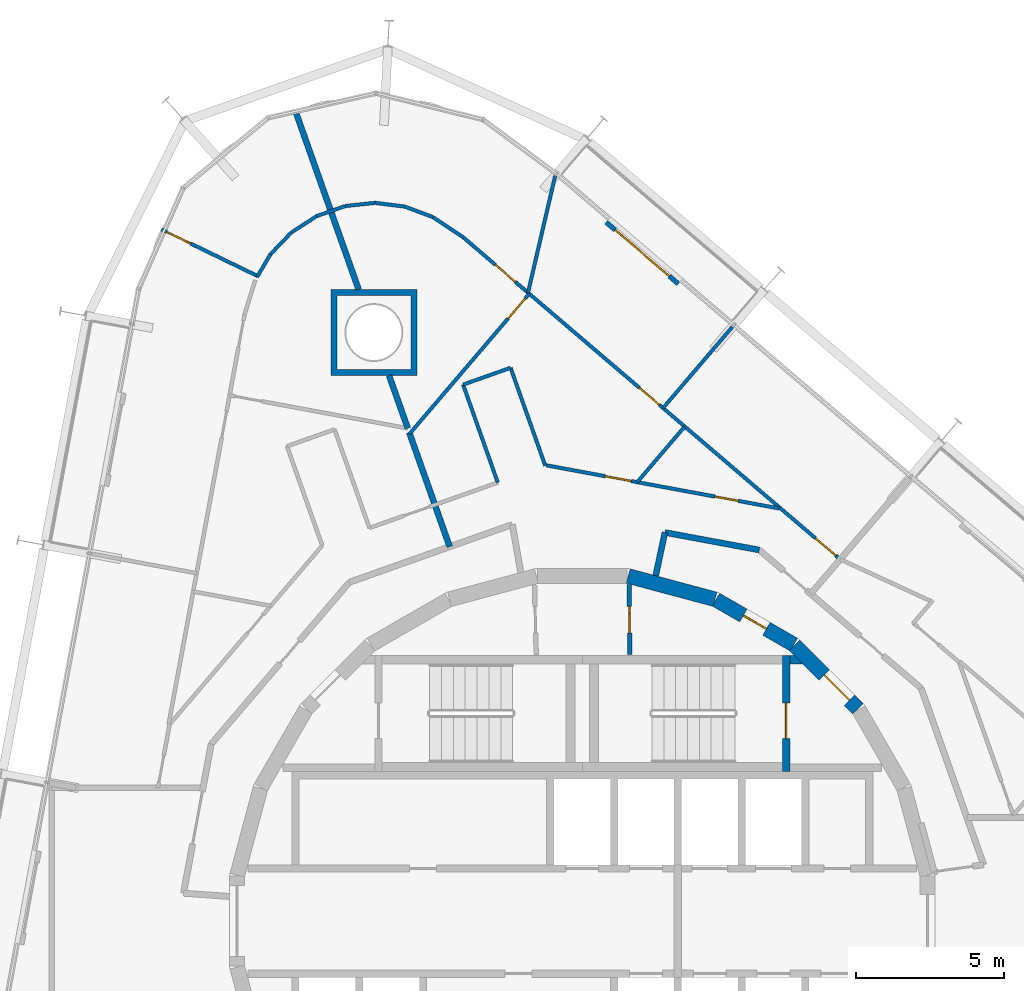
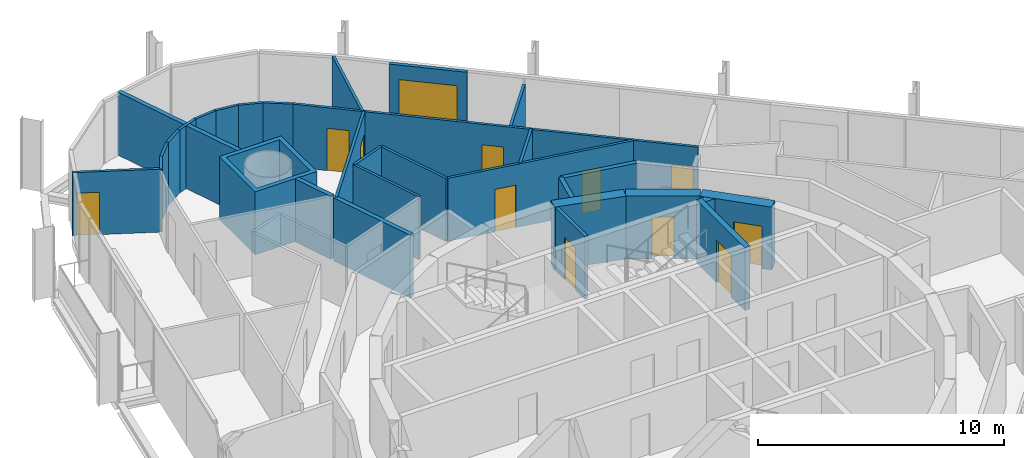
# One storey, part 15 of 17: 31 walls, 12 doors, 12 openings.
"""IFC4 building model written with IfcOpenShell, lengths in metres."""

from ifc_helpers import new_model, si_unit, direction, frame, frame_2d, origin, place, context, subcontext, project, spatial, polyline, rectangle, outline, extrude, material, layer, layer_set, type_object, element, fill, save


model = new_model("IFC4")

# Units and contexts
model_context = context("Model", 3, precision=1e-05, world=origin(), true_north=direction((0.0, 1.0)))
body_context = subcontext(model_context, "Body", "Model", "MODEL_VIEW")
ifc_project = project(units=[si_unit("LENGTHUNIT", "METRE"), si_unit("AREAUNIT", "SQUARE_METRE"), si_unit("VOLUMEUNIT", "CUBIC_METRE"), si_unit("PLANEANGLEUNIT", "RADIAN"), si_unit("MASSUNIT", "GRAM", prefix="KILO")], contexts=[model_context])

# Site, building, storey
site_placement = place(None, origin())
site = spatial("IfcSite", under=ifc_project, at=site_placement, CompositionType="ELEMENT")
building_placement = place(site_placement, origin())
building = spatial("IfcBuilding", under=site, at=building_placement, Name="Spindle Arch Residences", CompositionType="ELEMENT")
storey_placement = place(building_placement, frame((0.0, 0.0, 172.699951171875)))
storey = spatial("IfcBuildingStorey", under=building, at=storey_placement, Name="L43", CompositionType="ELEMENT", Elevation=172.699951171875)

# Wall, opening, door
ifc_material_1 = material(Name="Concrete C50/60", Category="concrete")
ifc_layer_1 = layer(ifc_material_1, 0.5)
ifc_layer_set_1 = layer_set([ifc_layer_1], Name="Core outline wall 500")
wall_type_1 = type_object("IfcWallType", Name="Core outline wall 500", PredefinedType="SHEAR", material=ifc_layer_set_1)
wall_1_placement = place(storey_placement, frame((9.30810546875, 7.163818359375, 0.0), z_axis=(0.0, 0.0, 1.0), x_axis=(-0.707106781187, 0.707106781187, 0.0)))
wall_1 = element("IfcWall", 1, at=wall_1_placement, inside=storey, type_object=wall_type_1, Name="Core outline wall 9", PredefinedType="SHEAR", context=body_context, shape_type="SweptSolid", body=[
    extrude(rectangle(XDim=3.032470703125, YDim=0.5, at=frame_2d((1.51611328125, 0.0))), origin(), (0.0, 0.0, 1.0), 3.1201171875),
])
opening_1_placement = place(wall_1_placement, frame((0.416259765625, 0.0, 0.0)))
opening_1 = element("IfcOpeningElement", 2, at=opening_1_placement, cuts=wall_1, Name="Opening R4C0-AD01", PredefinedType="OPENING", context=body_context, shape_type="SweptSolid", body=[
    extrude(rectangle(XDim=1.199951171875, YDim=2.10009765625, at=frame_2d((0.60009765625, 1.050048828125))), frame((0.0, 0.260009765625, 0.0), z_axis=(0.0, -1.0, 0.0), x_axis=(1.0, 0.0, 0.0)), (0.0, 0.0, 1.0), 0.52001953125),
])
ifc_material_2 = material(Name="Steel, fire-resisting door", Category="steel")
door_type_1 = type_object("IfcDoorType", Name="Stair airlock door 1200x2100", OperationType="SINGLE_SWING_LEFT", PredefinedType="DOOR", material=ifc_material_2)
door_1_placement = place(opening_1_placement, origin())
door_1 = element("IfcDoor", 3, at=door_1_placement, inside=storey, type_object=door_type_1, Name="Stair airlock door R4C0-AD01", OperationType="SINGLE_SWING_RIGHT", OverallHeight=2.10009765625, OverallWidth=1.199951171875, PredefinedType="DOOR", context=body_context, shape_type="SweptSolid", body=[
    extrude(rectangle(XDim=1.199951171875, YDim=2.10009765625, at=frame_2d((0.60009765625, 1.050048828125))), frame((0.0, 0.02490234375, 0.0), z_axis=(0.0, -1.0, 0.0), x_axis=(1.0, 0.0, 0.0)), (0.0, 0.0, 1.0), 0.050048828125),
])
fill(opening_1, door_1)

wall_2_placement = place(storey_placement, frame((7.13671875, 9.32861328125, 0.0), z_axis=(0.0, 0.0, 1.0), x_axis=(-0.865975092491, 0.500087131594, 0.0)))
wall_2 = element("IfcWall", 4, at=wall_2_placement, inside=storey, type_object=wall_type_1, Name="Core outline wall 10", PredefinedType="SHEAR", context=body_context, shape_type="SweptSolid", body=[
    extrude(rectangle(XDim=3.03271484375, YDim=0.5, at=frame_2d((1.516357421875, 0.0))), origin(), (0.0, 0.0, 1.0), 3.1201171875),
])
opening_2_placement = place(wall_2_placement, frame((1.06640625, 0.0, 0.0)))
opening_2 = element("IfcOpeningElement", 5, at=opening_2_placement, cuts=wall_2, Name="Opening R4C0-WD09", PredefinedType="OPENING", context=body_context, shape_type="SweptSolid", body=[
    extrude(rectangle(XDim=0.89990234375, YDim=2.10009765625, at=frame_2d((0.449951171875, 1.050048828125))), frame((0.0, 0.260009765625, 0.0), z_axis=(0.0, -1.0, 0.0), x_axis=(1.0, 0.0, 0.0)), (0.0, 0.0, 1.0), 0.52001953125),
])
ifc_material_3 = material(Name="Steel, fire-resisting door", Category="steel")
door_type_2 = type_object("IfcDoorType", Name="Service room door 900x2100", OperationType="SINGLE_SWING_LEFT", PredefinedType="DOOR", material=ifc_material_3)
door_2_placement = place(opening_2_placement, origin())
door_2 = element("IfcDoor", 6, at=door_2_placement, inside=storey, type_object=door_type_2, Name="Service room door R4C0-WD09", OperationType="SINGLE_SWING_LEFT", OverallHeight=2.10009765625, OverallWidth=0.89990234375, PredefinedType="DOOR", context=body_context, shape_type="SweptSolid", body=[
    extrude(rectangle(XDim=0.89990234375, YDim=2.10009765625, at=frame_2d((0.449951171875, 1.050048828125))), frame((0.0, 0.02490234375, 0.0), z_axis=(0.0, -1.0, 0.0), x_axis=(1.0, 0.0, 0.0)), (0.0, 0.0, 1.0), 0.050048828125),
])
fill(opening_2, door_2)

# Walls
wall_3_placement = place(storey_placement, frame((4.479248046875, 10.858154296875, 0.0), z_axis=(0.0, 0.0, 1.0), x_axis=(-0.965948410781, 0.258734743916, 0.0)))
element("IfcWall", 7, at=wall_3_placement, inside=storey, type_object=wall_type_1, Name="Core outline wall 11", PredefinedType="SHEAR", context=body_context, shape_type="SweptSolid", body=[
    extrude(rectangle(XDim=3.03271484375, YDim=0.5, at=frame_2d((1.516357421875, 0.0))), origin(), (0.0, 0.0, 1.0), 3.1201171875),
])
ifc_material_4 = material(Name="Calcium silicate block, plastered")
ifc_layer_2 = layer(ifc_material_4, 0.199951171875)
ifc_layer_set_2 = layer_set([ifc_layer_2], Name="Corridor wall 200")
wall_type_2 = type_object("IfcWallType", Name="Corridor wall 200", PredefinedType="STANDARD", material=ifc_layer_set_2)
wall_4_placement = place(storey_placement, frame((5.972412109375, 12.521240234375, 0.0), z_axis=(0.0, 0.0, 1.0), x_axis=(-0.983243002308, 0.182299748799, 0.0)))
element("IfcWall", 8, at=wall_4_placement, inside=storey, type_object=wall_type_2, Name="Corridor wall R4C0-W005", PredefinedType="STANDARD", context=body_context, shape_type="SweptSolid", body=[
    extrude(rectangle(XDim=3.239501953125, YDim=0.199951171875, at=frame_2d((1.61962890625, 0.0))), origin(), (0.0, 0.0, 1.0), 3.1201171875),
])
wall_5_placement = place(storey_placement, frame((2.787109375, 13.11181640625, 0.0), z_axis=(0.0, 0.0, 1.0), x_axis=(-0.207941001029, -0.978141370197, 0.0)))
element("IfcWall", 9, at=wall_5_placement, inside=storey, type_object=wall_type_2, Name="Corridor wall R4C0-W006", PredefinedType="STANDARD", context=body_context, shape_type="SweptSolid", body=[
    extrude(rectangle(XDim=1.4912109375, YDim=0.199951171875, at=frame_2d((0.74560546875, 0.0))), origin(), (0.0, 0.0, 1.0), 3.1201171875),
])

# Wall, openings, doors
ifc_material_5 = material(Name="Plasterboard on steel studs", Category="steel")
ifc_layer_3 = layer(ifc_material_5, 0.1201171875)
ifc_layer_set_3 = layer_set([ifc_layer_3], Name="Flat partition 120")
wall_type_3 = type_object("IfcWallType", Name="Flat partition 120", PredefinedType="PARTITIONING", material=ifc_layer_set_3)
wall_6_placement = place(storey_placement, frame((8.701904296875, 12.205810546875, 0.0), z_axis=(0.0, 0.0, 1.0), x_axis=(-0.760401313718, 0.649453494945, 0.0)))
wall_6 = element("IfcWall", 10, at=wall_6_placement, inside=storey, type_object=wall_type_3, Name="Flat partition R4C0-W052", PredefinedType="PARTITIONING", context=body_context, shape_type="SweptSolid", body=[
    extrude(rectangle(XDim=16.723876953125, YDim=0.1201171875, at=frame_2d((8.36181640625, 0.0))), origin(), (0.0, 0.0, 1.0), 3.1201171875),
])
opening_3_placement = place(wall_6_placement, frame((0.199951171875, 0.0, 0.0)))
opening_3 = element("IfcOpeningElement", 11, at=opening_3_placement, cuts=wall_6, Name="Opening R4C0-ID06", PredefinedType="OPENING", context=body_context, shape_type="SweptSolid", body=[
    extrude(rectangle(XDim=0.89990234375, YDim=2.10009765625, at=frame_2d((0.449951171875, 1.050048828125))), frame((0.0, 0.070068359375, 0.0), z_axis=(0.0, -1.0, 0.0), x_axis=(1.0, 0.0, 0.0)), (0.0, 0.0, 1.0), 0.14013671875),
])
opening_4_placement = place(wall_6_placement, frame((8.02001953125, 0.0, 0.0)))
opening_4 = element("IfcOpeningElement", 12, at=opening_4_placement, cuts=wall_6, Name="Opening R4C0-ID08", PredefinedType="OPENING", context=body_context, shape_type="SweptSolid", body=[
    extrude(rectangle(XDim=0.89990234375, YDim=2.10009765625, at=frame_2d((0.449951171875, 1.050048828125))), frame((0.0, 0.070068359375, 0.0), z_axis=(0.0, -1.0, 0.0), x_axis=(1.0, 0.0, 0.0)), (0.0, 0.0, 1.0), 0.14013671875),
])
opening_5_placement = place(wall_6_placement, frame((14.41162109375, 0.0, 0.0)))
opening_5 = element("IfcOpeningElement", 13, at=opening_5_placement, cuts=wall_6, Name="Opening R4C0-ID10", PredefinedType="OPENING", context=body_context, shape_type="SweptSolid", body=[
    extrude(rectangle(XDim=0.89990234375, YDim=2.10009765625, at=frame_2d((0.449951171875, 1.050048828125))), frame((0.0, 0.070068359375, 0.0), z_axis=(0.0, -1.0, 0.0), x_axis=(1.0, 0.0, 0.0)), (0.0, 0.0, 1.0), 0.14013671875),
])
ifc_material_6 = material(Name="Timber door set", Category="wood")
door_type_3 = type_object("IfcDoorType", Name="Room door 900x2100", OperationType="NOTDEFINED", PredefinedType="DOOR", material=ifc_material_6)
door_3_placement = place(opening_3_placement, origin())
door_3 = element("IfcDoor", 14, at=door_3_placement, inside=storey, type_object=door_type_3, Name="Room door R4C0-ID06", OperationType="SINGLE_SWING_RIGHT", OverallHeight=2.10009765625, OverallWidth=0.89990234375, PredefinedType="DOOR", context=body_context, shape_type="SweptSolid", body=[
    extrude(rectangle(XDim=0.89990234375, YDim=2.10009765625, at=frame_2d((0.449951171875, 1.050048828125))), frame((0.0, 0.02490234375, 0.0), z_axis=(0.0, -1.0, 0.0), x_axis=(1.0, 0.0, 0.0)), (0.0, 0.0, 1.0), 0.050048828125),
])
fill(opening_3, door_3)
door_4_placement = place(opening_4_placement, origin())
door_4 = element("IfcDoor", 15, at=door_4_placement, inside=storey, type_object=door_type_3, Name="Room door R4C0-ID08", OperationType="SINGLE_SWING_RIGHT", OverallHeight=2.10009765625, OverallWidth=0.89990234375, PredefinedType="DOOR", context=body_context, shape_type="SweptSolid", body=[
    extrude(rectangle(XDim=0.89990234375, YDim=2.10009765625, at=frame_2d((0.449951171875, 1.050048828125))), frame((0.0, 0.02490234375, 0.0), z_axis=(0.0, -1.0, 0.0), x_axis=(1.0, 0.0, 0.0)), (0.0, 0.0, 1.0), 0.050048828125),
])
fill(opening_4, door_4)
door_5_placement = place(opening_5_placement, origin())
door_5 = element("IfcDoor", 16, at=door_5_placement, inside=storey, type_object=door_type_3, Name="Room door R4C0-ID10", OperationType="SINGLE_SWING_RIGHT", OverallHeight=2.10009765625, OverallWidth=0.89990234375, PredefinedType="DOOR", context=body_context, shape_type="SweptSolid", body=[
    extrude(rectangle(XDim=0.89990234375, YDim=2.10009765625, at=frame_2d((0.449951171875, 1.050048828125))), frame((0.0, 0.02490234375, 0.0), z_axis=(0.0, -1.0, 0.0), x_axis=(1.0, 0.0, 0.0)), (0.0, 0.0, 1.0), 0.050048828125),
])
fill(opening_5, door_5)

wall_7_placement = place(storey_placement, frame((6.640869140625, 13.9228515625, 0.0), z_axis=(0.0, 0.0, 1.0), x_axis=(-0.983250157272, 0.182261153912, 0.0)))
wall_7 = element("IfcWall", 17, at=wall_7_placement, inside=storey, type_object=wall_type_3, Name="Flat partition R4C0-W053", PredefinedType="PARTITIONING", context=body_context, shape_type="SweptSolid", body=[
    extrude(rectangle(XDim=7.98486328125, YDim=0.1201171875, at=frame_2d((3.992431640625, 0.0))), origin(), (0.0, 0.0, 1.0), 3.1201171875),
])
opening_6_placement = place(wall_7_placement, frame((1.39990234375, 0.0, 0.0)))
opening_6 = element("IfcOpeningElement", 18, at=opening_6_placement, cuts=wall_7, Name="Opening R4C0-BD02", PredefinedType="OPENING", context=body_context, shape_type="SweptSolid", body=[
    extrude(rectangle(XDim=0.800048828125, YDim=2.10009765625, at=frame_2d((0.39990234375, 1.050048828125))), frame((0.0, 0.070068359375, 0.0), z_axis=(0.0, -1.0, 0.0), x_axis=(1.0, 0.0, 0.0)), (0.0, 0.0, 1.0), 0.14013671875),
])
opening_7_placement = place(wall_7_placement, frame((5.06884765625, 0.0, 0.0)))
opening_7 = element("IfcOpeningElement", 19, at=opening_7_placement, cuts=wall_7, Name="Opening R4C0-ID07", PredefinedType="OPENING", context=body_context, shape_type="SweptSolid", body=[
    extrude(rectangle(XDim=0.89990234375, YDim=2.10009765625, at=frame_2d((0.449951171875, 1.050048828125))), frame((0.0, 0.070068359375, 0.0), z_axis=(0.0, -1.0, 0.0), x_axis=(1.0, 0.0, 0.0)), (0.0, 0.0, 1.0), 0.14013671875),
])
ifc_material_7 = material(Name="Timber door set", Category="wood")
door_type_4 = type_object("IfcDoorType", Name="Bathroom door 800x2100", OperationType="NOTDEFINED", PredefinedType="DOOR", material=ifc_material_7)
door_6_placement = place(opening_6_placement, origin())
door_6 = element("IfcDoor", 20, at=door_6_placement, inside=storey, type_object=door_type_4, Name="Bathroom door R4C0-BD02", OperationType="SINGLE_SWING_RIGHT", OverallHeight=2.10009765625, OverallWidth=0.800048828125, PredefinedType="DOOR", context=body_context, shape_type="SweptSolid", body=[
    extrude(rectangle(XDim=0.800048828125, YDim=2.10009765625, at=frame_2d((0.39990234375, 1.050048828125))), frame((0.0, 0.02490234375, 0.0), z_axis=(0.0, -1.0, 0.0), x_axis=(1.0, 0.0, 0.0)), (0.0, 0.0, 1.0), 0.050048828125),
])
fill(opening_6, door_6)
door_7_placement = place(opening_7_placement, origin())
door_7 = element("IfcDoor", 21, at=door_7_placement, inside=storey, type_object=door_type_3, Name="Room door R4C0-ID07", OperationType="SINGLE_SWING_RIGHT", OverallHeight=2.10009765625, OverallWidth=0.89990234375, PredefinedType="DOOR", context=body_context, shape_type="SweptSolid", body=[
    extrude(rectangle(XDim=0.89990234375, YDim=2.10009765625, at=frame_2d((0.449951171875, 1.050048828125))), frame((0.0, 0.02490234375, 0.0), z_axis=(0.0, -1.0, 0.0), x_axis=(1.0, 0.0, 0.0)), (0.0, 0.0, 1.0), 0.050048828125),
])
fill(opening_7, door_7)

# Walls
wall_8_placement = place(storey_placement, frame((-1.2490234375, 15.3642578125, 0.0), z_axis=(0.0, 0.0, 1.0), x_axis=(-0.333811035895, 0.942640012048, 0.0)))
element("IfcWall", 22, at=wall_8_placement, inside=storey, type_object=wall_type_3, Name="Flat partition R4C0-W054", PredefinedType="PARTITIONING", context=body_context, shape_type="SweptSolid", body=[
    extrude(rectangle(XDim=3.504638671875, YDim=0.1201171875, at=frame_2d((1.75244140625, 0.0))), origin(), (0.0, 0.0, 1.0), 3.1201171875),
])
wall_9_placement = place(storey_placement, frame((-2.4189453125, 18.66796875, 0.0), z_axis=(0.0, 0.0, 1.0), x_axis=(-0.942661115325, -0.333751436931, 0.0)))
element("IfcWall", 23, at=wall_9_placement, inside=storey, type_object=wall_type_3, Name="Flat partition R4C0-W055", PredefinedType="PARTITIONING", context=body_context, shape_type="SweptSolid", body=[
    extrude(rectangle(XDim=1.699951171875, YDim=0.1201171875, at=frame_2d((0.85009765625, 0.0))), origin(), (0.0, 0.0, 1.0), 3.1201171875),
])
wall_10_placement = place(storey_placement, frame((-4.021484375, 18.1005859375, 0.0), z_axis=(0.0, 0.0, 1.0), x_axis=(0.333811035895, -0.942640012048, 0.0)))
element("IfcWall", 24, at=wall_10_placement, inside=storey, type_object=wall_type_3, Name="Flat partition R4C0-W056", PredefinedType="PARTITIONING", context=body_context, shape_type="SweptSolid", body=[
    extrude(rectangle(XDim=3.504638671875, YDim=0.1201171875, at=frame_2d((1.75244140625, 0.0))), origin(), (0.0, 0.0, 1.0), 3.1201171875),
])
wall_11_placement = place(storey_placement, frame((3.455810546875, 16.686279296875, 0.0), z_axis=(0.0, 0.0, 1.0), x_axis=(-0.649462010463, -0.760394040591, 0.0)))
element("IfcWall", 25, at=wall_11_placement, inside=storey, type_object=wall_type_3, Name="Flat partition R4C0-W059", PredefinedType="PARTITIONING", context=body_context, shape_type="SweptSolid", body=[
    extrude(rectangle(XDim=2.467041015625, YDim=0.1201171875, at=frame_2d((1.2333984375, 0.0))), origin(), (0.0, 0.0, 1.0), 3.1201171875),
])
wall_12_placement = place(storey_placement, frame((-0.913818359375, 25.152587890625, 0.0), z_axis=(0.0, 0.0, 1.0), x_axis=(-0.226085850586, -0.974107380202, 0.0)))
element("IfcWall", 26, at=wall_12_placement, inside=storey, type_object=wall_type_3, Name="Flat partition R4C0-W060", PredefinedType="PARTITIONING", context=body_context, shape_type="SweptSolid", body=[
    extrude(rectangle(XDim=4.055908203125, YDim=0.1201171875, at=frame_2d((2.02783203125, 0.0))), origin(), (0.0, 0.0, 1.0), 3.1201171875),
])

# Wall, opening, door
wall_13_placement = place(storey_placement, frame((-1.790283203125, 21.1669921875, 0.0), z_axis=(0.0, 0.0, 1.0), x_axis=(-0.649456490412, -0.7603987553, 0.0)))
wall_13 = element("IfcWall", 27, at=wall_13_placement, inside=storey, type_object=wall_type_3, Name="Flat partition R4C0-W061", PredefinedType="PARTITIONING", context=body_context, shape_type="SweptSolid", body=[
    extrude(rectangle(XDim=6.210205078125, YDim=0.1201171875, at=frame_2d((3.10498046875, 0.0))), origin(), (0.0, 0.0, 1.0), 3.1201171875),
])
opening_8_placement = place(wall_13_placement, frame((0.199951171875, 0.0, 0.0)))
opening_8 = element("IfcOpeningElement", 28, at=opening_8_placement, cuts=wall_13, Name="Opening R4C0-ID09", PredefinedType="OPENING", context=body_context, shape_type="SweptSolid", body=[
    extrude(rectangle(XDim=0.89990234375, YDim=2.10009765625, at=frame_2d((0.449951171875, 1.050048828125))), frame((0.0, 0.070068359375, 0.0), z_axis=(0.0, -1.0, 0.0), x_axis=(1.0, 0.0, 0.0)), (0.0, 0.0, 1.0), 0.14013671875),
])
door_8_placement = place(opening_8_placement, origin())
door_8 = element("IfcDoor", 29, at=door_8_placement, inside=storey, type_object=door_type_3, Name="Room door R4C0-ID09", OperationType="SINGLE_SWING_RIGHT", OverallHeight=2.10009765625, OverallWidth=0.89990234375, PredefinedType="DOOR", context=body_context, shape_type="SweptSolid", body=[
    extrude(rectangle(XDim=0.89990234375, YDim=2.10009765625, at=frame_2d((0.449951171875, 1.050048828125))), frame((0.0, 0.02490234375, 0.0), z_axis=(0.0, -1.0, 0.0), x_axis=(1.0, 0.0, 0.0)), (0.0, 0.0, 1.0), 0.050048828125),
])
fill(opening_8, door_8)

# Walls
wall_14_placement = place(storey_placement, frame((-8.96142578125, 23.78466796875, 0.0), z_axis=(0.0, 0.0, 1.0), x_axis=(0.942630376568, 0.333838244022, 0.0)))
element("IfcWall", 30, at=wall_14_placement, inside=storey, type_object=wall_type_3, Name="Flat partition R4C0-W062", PredefinedType="PARTITIONING", context=body_context, shape_type="SweptSolid", body=[
    extrude(rectangle(XDim=1.015869140625, YDim=0.1201171875, at=frame_2d((0.5078125, 0.0))), origin(), (0.0, 0.0, 1.0), 3.1201171875),
])
wall_15_placement = place(storey_placement, frame((-8.00390625, 24.123779296875, 0.0), z_axis=(0.0, 0.0, 1.0), x_axis=(0.994216064839, 0.107398400431, 0.0)))
element("IfcWall", 31, at=wall_15_placement, inside=storey, type_object=wall_type_3, Name="Flat partition R4C0-W063", PredefinedType="PARTITIONING", context=body_context, shape_type="SweptSolid", body=[
    extrude(rectangle(XDim=1.01611328125, YDim=0.1201171875, at=frame_2d((0.508056640625, 0.0))), origin(), (0.0, 0.0, 1.0), 3.1201171875),
])
wall_16_placement = place(storey_placement, frame((-6.99365234375, 24.23291015625, 0.0), z_axis=(0.0, 0.0, 1.0), x_axis=(0.992188875952, -0.124744676991, 0.0)))
element("IfcWall", 32, at=wall_16_placement, inside=storey, type_object=wall_type_3, Name="Flat partition R4C0-W064", PredefinedType="PARTITIONING", context=body_context, shape_type="SweptSolid", body=[
    extrude(rectangle(XDim=1.015625, YDim=0.1201171875, at=frame_2d((0.5078125, 0.0))), origin(), (0.0, 0.0, 1.0), 3.1201171875),
])
wall_17_placement = place(storey_placement, frame((-5.98583984375, 24.106201171875, 0.0), z_axis=(0.0, 0.0, 1.0), x_axis=(0.936625084254, -0.350333343469, 0.0)))
element("IfcWall", 33, at=wall_17_placement, inside=storey, type_object=wall_type_3, Name="Flat partition R4C0-W065", PredefinedType="PARTITIONING", context=body_context, shape_type="SweptSolid", body=[
    extrude(rectangle(XDim=1.01611328125, YDim=0.1201171875, at=frame_2d((0.508056640625, 0.0))), origin(), (0.0, 0.0, 1.0), 3.1201171875),
])
wall_18_placement = place(storey_placement, frame((-5.0341796875, 23.750244140625, 0.0), z_axis=(0.0, 0.0, 1.0), x_axis=(0.83070096574, -0.556718874764, 0.0)))
element("IfcWall", 34, at=wall_18_placement, inside=storey, type_object=wall_type_3, Name="Flat partition R4C0-W066", PredefinedType="PARTITIONING", context=body_context, shape_type="SweptSolid", body=[
    extrude(rectangle(XDim=1.22705078125, YDim=0.1201171875, at=frame_2d((0.613525390625, 0.0))), origin(), (0.0, 0.0, 1.0), 3.1201171875),
])
wall_19_placement = place(storey_placement, frame((-10.973876953125, 21.728271484375, 0.0), z_axis=(0.0, 0.0, 1.0), x_axis=(0.507353148194, 0.861738233466, 0.0)))
element("IfcWall", 35, at=wall_19_placement, inside=storey, type_object=wall_type_3, Name="Flat partition R4C0-W073", PredefinedType="PARTITIONING", context=body_context, shape_type="SweptSolid", body=[
    extrude(rectangle(XDim=0.89697265625, YDim=0.1201171875, at=frame_2d((0.448486328125, 0.0))), origin(), (0.0, 0.0, 1.0), 3.1201171875),
])
wall_20_placement = place(storey_placement, frame((-10.518798828125, 22.501220703125, 0.0), z_axis=(0.0, 0.0, 1.0), x_axis=(0.69266189308, 0.721262436201, 0.0)))
element("IfcWall", 36, at=wall_20_placement, inside=storey, type_object=wall_type_3, Name="Flat partition R4C0-W074", PredefinedType="PARTITIONING", context=body_context, shape_type="SweptSolid", body=[
    extrude(rectangle(XDim=1.015869140625, YDim=0.1201171875, at=frame_2d((0.5078125, 0.0))), origin(), (0.0, 0.0, 1.0), 3.1201171875),
])
wall_21_placement = place(storey_placement, frame((-9.815185546875, 23.23388671875, 0.0), z_axis=(0.0, 0.0, 1.0), x_axis=(0.840310772539, 0.542104976508, 0.0)))
element("IfcWall", 37, at=wall_21_placement, inside=storey, type_object=wall_type_3, Name="Flat partition R4C0-W075", PredefinedType="PARTITIONING", context=body_context, shape_type="SweptSolid", body=[
    extrude(rectangle(XDim=1.01611328125, YDim=0.1201171875, at=frame_2d((0.508056640625, 0.0))), origin(), (0.0, 0.0, 1.0), 3.1201171875),
])

# Wall, opening, door
wall_22_placement = place(storey_placement, frame((-14.201904296875, 23.3408203125, 0.0), z_axis=(0.0, 0.0, 1.0), x_axis=(0.899466404534, -0.436989916491, 0.0)))
wall_22 = element("IfcWall", 38, at=wall_22_placement, inside=storey, type_object=wall_type_3, Name="Flat partition R4C0-W076", PredefinedType="PARTITIONING", context=body_context, shape_type="SweptSolid", body=[
    extrude(rectangle(XDim=3.611328125, YDim=0.1201171875, at=frame_2d((1.8056640625, 0.0))), origin(), (0.0, 0.0, 1.0), 3.1201171875),
])
opening_9_placement = place(wall_22_placement, frame((0.199951171875, 0.0, 0.0)))
opening_9 = element("IfcOpeningElement", 39, at=opening_9_placement, cuts=wall_22, Name="Opening R4C0-ID15", PredefinedType="OPENING", context=body_context, shape_type="SweptSolid", body=[
    extrude(rectangle(XDim=0.89990234375, YDim=2.10009765625, at=frame_2d((0.449951171875, 1.050048828125))), frame((0.0, 0.070068359375, 0.0), z_axis=(0.0, -1.0, 0.0), x_axis=(1.0, 0.0, 0.0)), (0.0, 0.0, 1.0), 0.14013671875),
])
door_9_placement = place(opening_9_placement, origin())
door_9 = element("IfcDoor", 40, at=door_9_placement, inside=storey, type_object=door_type_3, Name="Room door R4C0-ID15", OperationType="SINGLE_SWING_LEFT", OverallHeight=2.10009765625, OverallWidth=0.89990234375, PredefinedType="DOOR", context=body_context, shape_type="SweptSolid", body=[
    extrude(rectangle(XDim=0.89990234375, YDim=2.10009765625, at=frame_2d((0.449951171875, 1.050048828125))), frame((0.0, 0.02490234375, 0.0), z_axis=(0.0, -1.0, 0.0), x_axis=(1.0, 0.0, 0.0)), (0.0, 0.0, 1.0), 0.050048828125),
])
fill(opening_9, door_9)

# Walls
ifc_material_8 = material(Name="Plasterboard on steel studs", Category="steel")
ifc_layer_4 = layer(ifc_material_8, 0.1201171875)
ifc_layer_set_4 = layer_set([ifc_layer_4], Name="Flat partition 120 under beam 2730")
wall_type_4 = type_object("IfcWallType", Name="Flat partition 120 under beam 2730", PredefinedType="PARTITIONING", material=ifc_layer_set_4)
wall_23_placement = place(storey_placement, frame((5.063232421875, 20.048095703125, 0.0), z_axis=(0.0, 0.0, 1.0), x_axis=(-0.649455626815, -0.760399492897, 0.0)))
element("IfcWall", 41, at=wall_23_placement, inside=storey, type_object=wall_type_4, Name="Flat partition R4C0-W058", PredefinedType="PARTITIONING", context=body_context, shape_type="SweptSolid", body=[
    extrude(rectangle(XDim=3.60009765625, YDim=0.1201171875, at=frame_2d((1.800048828125, 0.0))), origin(), (0.0, 0.0, 1.0), 2.72998046875),
])
ifc_material_9 = material(Name="Calcium silicate block, plastered")
ifc_layer_5 = layer(ifc_material_9, 0.199951171875)
ifc_layer_set_5 = layer_set([ifc_layer_5], Name="Flat party wall 200")
wall_type_5 = type_object("IfcWallType", Name="Flat party wall 200", PredefinedType="STANDARD", material=ifc_layer_set_5)
wall_24_placement = place(storey_placement, frame((-5.8388671875, 16.48828125, 0.0), z_axis=(0.0, 0.0, 1.0), x_axis=(0.333840515054, -0.942629572265, 0.0)))
element("IfcWall", 42, at=wall_24_placement, inside=storey, type_object=wall_type_5, Name="Flat party wall R4C0-W029", PredefinedType="STANDARD", context=body_context, shape_type="SweptSolid", body=[
    extrude(rectangle(XDim=4.091552734375, YDim=0.199951171875, at=frame_2d((2.0458984375, 0.0))), origin(), (0.0, 0.0, 1.0), 3.1201171875),
])
wall_25_placement = place(storey_placement, frame((-9.684326171875, 27.34765625, 0.0), z_axis=(0.0, 0.0, 1.0), x_axis=(0.333810465454, -0.942640214055, 0.0)))
element("IfcWall", 43, at=wall_25_placement, inside=storey, type_object=wall_type_5, Name="Flat party wall R4C0-W030", PredefinedType="STANDARD", context=body_context, shape_type="SweptSolid", body=[
    extrude(rectangle(XDim=6.407470703125, YDim=0.199951171875, at=frame_2d((3.20361328125, 0.0))), origin(), (0.0, 0.0, 1.0), 3.1201171875),
])
wall_26_placement = place(storey_placement, frame((-6.518310546875, 18.40771484375, 0.0), z_axis=(0.0, 0.0, 1.0), x_axis=(0.333725210903, -0.942670400303, 0.0)))
element("IfcWall", 44, at=wall_26_placement, inside=storey, type_object=wall_type_5, Name="Flat party wall R4C0-W031", PredefinedType="STANDARD", context=body_context, shape_type="SweptSolid", body=[
    extrude(rectangle(XDim=1.890380859375, YDim=0.199951171875, at=frame_2d((0.9453125, 0.0))), origin(), (0.0, 0.0, 1.0), 3.1201171875),
])

# Wall, opening, door
ifc_material_10 = material(Name="Non-combustible mineral wool insulated aluminium faced external wall (K0)", Category="aluminium")
ifc_layer_6 = layer(ifc_material_10, 0.159912109375)
ifc_layer_set_6 = layer_set([ifc_layer_6], Name="Insulated external wall panel 160")
wall_type_6 = type_object("IfcWallType", Name="Insulated external wall panel 160", PredefinedType="STANDARD", material=ifc_layer_set_6)
wall_27_placement = place(storey_placement, frame((3.239501953125, 21.50048828125, 0.0), z_axis=(0.0, 0.0, 1.0), x_axis=(-0.760429407868, 0.649420599957, 0.0)))
wall_27 = element("IfcWall", 45, at=wall_27_placement, inside=storey, type_object=wall_type_6, Name="External wall L43 bay 9", PredefinedType="STANDARD", context=body_context, shape_type="SweptSolid", body=[
    extrude(rectangle(XDim=3.199951171875, YDim=0.159912109375, at=frame_2d((1.60009765625, 0.0))), origin(), (0.0, 0.0, 1.0), 3.1201171875),
])
opening_10_placement = place(wall_27_placement, frame((0.39990234375, 0.0, 0.0)))
opening_10 = element("IfcOpeningElement", 46, at=opening_10_placement, cuts=wall_27, Name="Opening BD09", PredefinedType="OPENING", context=body_context, shape_type="SweptSolid", body=[
    extrude(rectangle(XDim=2.39990234375, YDim=2.39990234375, at=frame_2d((1.199951171875, 1.199951171875))), frame((0.0, 0.08984375, 0.0), z_axis=(0.0, -1.0, 0.0), x_axis=(1.0, 0.0, 0.0)), (0.0, 0.0, 1.0), 0.179931640625),
])
ifc_material_11 = material(Name="Bronze aluminium frame, tinted double glazing", Category="aluminium")
door_type_5 = type_object("IfcDoorType", Name="Sliding glazed balcony door 2400x2400", OperationType="DOUBLE_DOOR_SLIDING", PredefinedType="DOOR", material=ifc_material_11)
door_10_placement = place(opening_10_placement, origin())
door_10 = element("IfcDoor", 47, at=door_10_placement, inside=storey, type_object=door_type_5, Name="Balcony door BD09", OperationType="DOUBLE_DOOR_SLIDING", OverallHeight=2.39990234375, OverallWidth=2.39990234375, PredefinedType="DOOR", context=body_context, shape_type="SweptSolid", body=[
    extrude(rectangle(XDim=2.39990234375, YDim=2.39990234375, at=frame_2d((1.199951171875, 1.199951171875))), frame((0.0, 0.02490234375, 0.0), z_axis=(0.0, -1.0, 0.0), x_axis=(1.0, 0.0, 0.0)), (0.0, 0.0, 1.0), 0.050048828125),
])
fill(opening_10, door_10)

# Wall
ifc_material_12 = material(Name="Calcium silicate block, plastered")
ifc_layer_7 = layer(ifc_material_12, 0.199951171875)
ifc_layer_set_7 = layer_set([ifc_layer_7], Name="Mega-column casing wall 200")
wall_type_7 = type_object("IfcWallType", Name="Mega-column casing wall 200", PredefinedType="STANDARD", material=ifc_layer_set_7)
wall_28_placement = place(storey_placement, origin())
element("IfcWall", 48, at=wall_28_placement, inside=storey, type_object=wall_type_7, Name="Mega-column casing wall R4C0-WC01", PredefinedType="STANDARD", context=body_context, shape_type="SweptSolid", body=[
    extrude(outline(polyline([(-5.581787109375, 21.3076171875), (-5.581787109375, 18.40771484375), (-8.48193359375, 18.40771484375), (-8.48193359375, 21.3076171875), (-5.581787109375, 21.3076171875)]), holes=[polyline([(-8.281982421875, 18.607666015625), (-5.781982421875, 18.607666015625), (-5.781982421875, 21.107666015625), (-8.281982421875, 21.107666015625), (-8.281982421875, 18.607666015625)])]), origin(), (0.0, 0.0, 1.0), 3.1201171875),
])

# Wall, opening, door
ifc_material_13 = material(Name="Concrete C25/30", Category="concrete")
ifc_layer_8 = layer(ifc_material_13, 0.14990234375)
ifc_layer_set_8 = layer_set([ifc_layer_8], Name="Service room partition 150")
wall_type_8 = type_object("IfcWallType", Name="Service room partition 150", PredefinedType="PARTITIONING", material=ifc_layer_set_8)
wall_29_placement = place(storey_placement, frame((1.585693359375, 11.3544921875, 0.0), z_axis=(0.0, 0.0, 1.0), x_axis=(0.007227482881, -0.999973881405, 0.0)))
wall_29 = element("IfcWall", 49, at=wall_29_placement, inside=storey, type_object=wall_type_8, Name="Core service room partition", PredefinedType="PARTITIONING", context=body_context, shape_type="SweptSolid", body=[
    extrude(rectangle(XDim=2.364501953125, YDim=0.14990234375, at=frame_2d((1.18212890625, 0.0))), origin(), (0.0, 0.0, 1.0), 3.1201171875),
])
opening_11_placement = place(wall_29_placement, frame((0.732177734375, 0.0, 0.0)))
opening_11 = element("IfcOpeningElement", 50, at=opening_11_placement, cuts=wall_29, Name="Opening R4C0-WD05", PredefinedType="OPENING", context=body_context, shape_type="SweptSolid", body=[
    extrude(rectangle(XDim=0.89990234375, YDim=2.10009765625, at=frame_2d((0.449951171875, 1.050048828125))), frame((0.0, 0.0849609375, 0.0), z_axis=(0.0, -1.0, 0.0), x_axis=(1.0, 0.0, 0.0)), (0.0, 0.0, 1.0), 0.169921875),
])
door_11_placement = place(opening_11_placement, origin())
door_11 = element("IfcDoor", 51, at=door_11_placement, inside=storey, type_object=door_type_2, Name="Service room door R4C0-WD05", OperationType="SINGLE_SWING_LEFT", OverallHeight=2.10009765625, OverallWidth=0.89990234375, PredefinedType="DOOR", context=body_context, shape_type="SweptSolid", body=[
    extrude(rectangle(XDim=0.89990234375, YDim=2.10009765625, at=frame_2d((0.449951171875, 1.050048828125))), frame((0.0, 0.02490234375, 0.0), z_axis=(0.0, -1.0, 0.0), x_axis=(1.0, 0.0, 0.0)), (0.0, 0.0, 1.0), 0.050048828125),
])
fill(opening_11, door_11)

# Wall
ifc_material_14 = material(Name="Concrete C40/50", Category="concrete")
wall_type_9 = type_object("IfcWallType", Name="Stair airlock wall profile", PredefinedType="SHEAR", material=ifc_material_14)
wall_30_placement = place(storey_placement, origin())
element("IfcWall", 52, at=wall_30_placement, inside=storey, type_object=wall_type_9, Name="Stair ST-1 airlock wall N", PredefinedType="SHEAR", context=body_context, shape_type="SweptSolid", body=[
    extrude(outline(polyline([(7.4482421875, 8.669921875), (7.0, 8.669921875), (7.0, 8.969970703125), (7.148193359375, 8.969970703125), (7.4482421875, 8.669921875)])), origin(), (0.0, 0.0, 1.0), 3.1201171875),
])

# Wall, opening, door
ifc_material_15 = material(Name="Concrete C50/60", Category="concrete")
ifc_layer_9 = layer(ifc_material_15, 0.25)
ifc_layer_set_9 = layer_set([ifc_layer_9], Name="Stair enclosure wall 250")
wall_type_10 = type_object("IfcWallType", Name="Stair enclosure wall 250", PredefinedType="SHEAR", material=ifc_layer_set_9)
wall_31_placement = place(storey_placement, frame((6.875, 5.050048828125, 0.0), z_axis=(0.0, 0.0, 1.0), x_axis=(0.0, 1.0, 0.0)))
wall_31 = element("IfcWall", 53, at=wall_31_placement, inside=storey, type_object=wall_type_10, Name="Stair ST-1 door wall", PredefinedType="SHEAR", context=body_context, shape_type="SweptSolid", body=[
    extrude(rectangle(XDim=3.919921875, YDim=0.25, at=frame_2d((1.9599609375, 0.0))), origin(), (0.0, 0.0, 1.0), 3.1201171875),
])
opening_12_placement = place(wall_31_placement, frame((1.110107421875, 0.0, 0.0)))
opening_12 = element("IfcOpeningElement", 54, at=opening_12_placement, cuts=wall_31, Name="Opening R4C0-SD01", PredefinedType="OPENING", context=body_context, shape_type="SweptSolid", body=[
    extrude(rectangle(XDim=1.199951171875, YDim=2.10009765625, at=frame_2d((0.60009765625, 1.050048828125))), frame((0.0, 0.135009765625, 0.0), z_axis=(0.0, -1.0, 0.0), x_axis=(1.0, 0.0, 0.0)), (0.0, 0.0, 1.0), 0.27001953125),
])
ifc_material_16 = material(Name="Steel, fire-resisting door", Category="steel")
door_type_6 = type_object("IfcDoorType", Name="Stair door 1200x2100", OperationType="SINGLE_SWING_RIGHT", PredefinedType="DOOR", material=ifc_material_16)
door_12_placement = place(opening_12_placement, origin())
door_12 = element("IfcDoor", 55, at=door_12_placement, inside=storey, type_object=door_type_6, Name="Stair door R4C0-SD01", OperationType="SINGLE_SWING_LEFT", OverallHeight=2.10009765625, OverallWidth=1.199951171875, PredefinedType="DOOR", context=body_context, shape_type="SweptSolid", body=[
    extrude(rectangle(XDim=1.199951171875, YDim=2.10009765625, at=frame_2d((0.60009765625, 1.050048828125))), frame((0.0, 0.02490234375, 0.0), z_axis=(0.0, -1.0, 0.0), x_axis=(1.0, 0.0, 0.0)), (0.0, 0.0, 1.0), 0.050048828125),
])
fill(opening_12, door_12)

save(model, "model.ifc")
